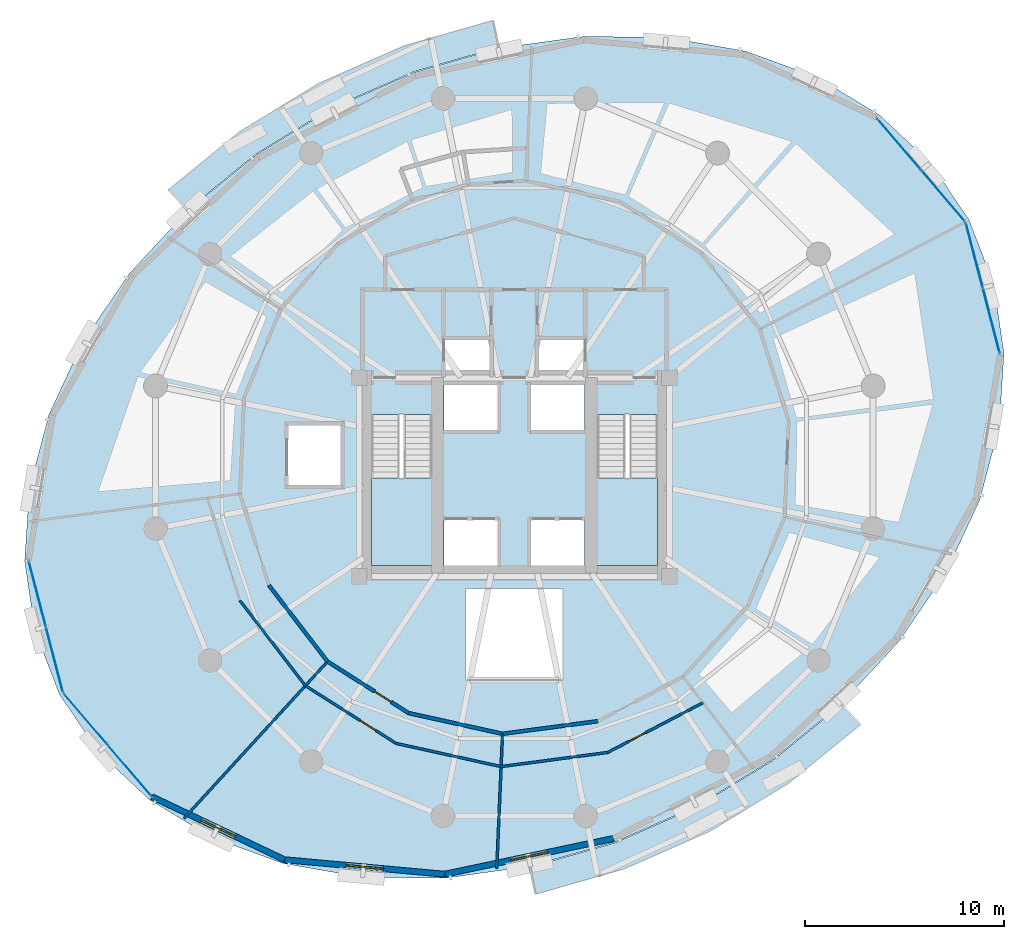
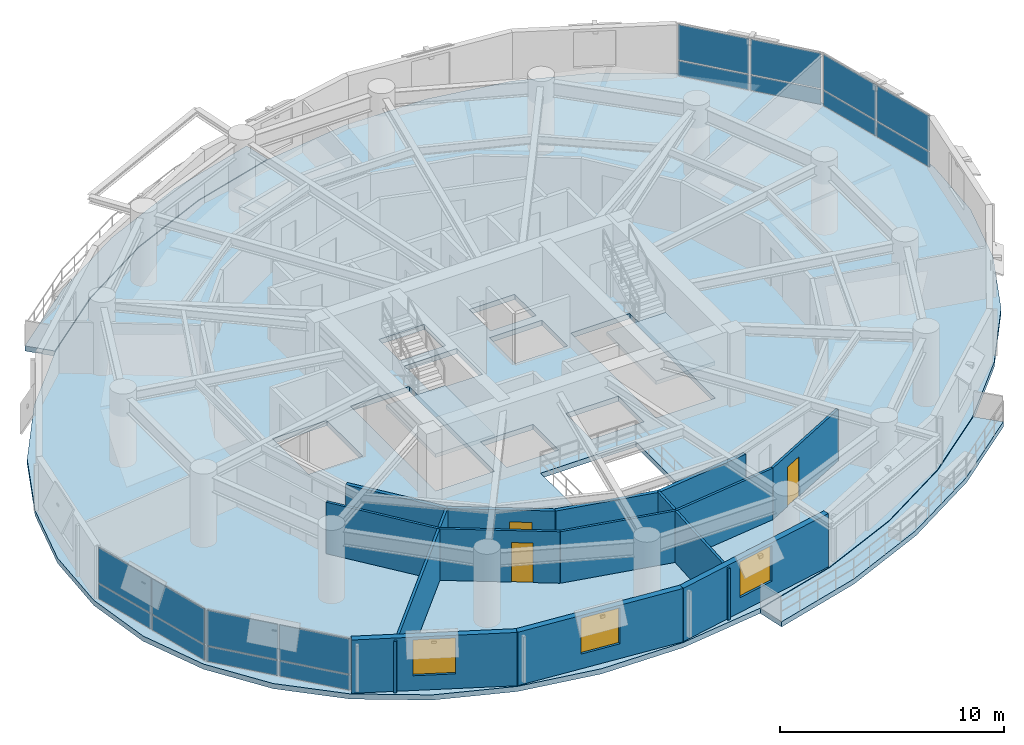
# One storey, part 9 of 14: 16 plates, 14 walls, 5 slabs, 3 doors, 3 windows, 6 openings, 6 elements without a shape of their own.
"""IFC4 building model written with IfcOpenShell, lengths in metres."""

import ifcopenshell
import ifcopenshell.guid

model = None  # the IFC model being written
_history = None  # IfcOwnerHistory: only IFC2X3 demands one
_inside = {}  # id of a spatial element -> (the spatial element, [elements in it])
_under = {}  # id of a project, library or spatial element -> (it, [spatial elements below it])
_declared = {}  # id of a project -> (the project, [libraries it declares])
_typed = {}  # id of a type object -> (the type object, [elements of that type])
_made_of = {}  # id of a material, layer set ... -> (it, [elements and type objects made of it])


def new_model(schema):
    """Start an empty IFC model of exactly this schema.

    Asked for "IFC4X3", IfcOpenShell would pick the latest addendum, in which some entities
    have other attributes; the version numbers below select the first issue.
    IFC2X3 requires an IfcOwnerHistory on every rooted entity: one is made here for all.
    """
    global model, _history
    if schema == "IFC4X3":
        model = ifcopenshell.file(schema_version=(4, 3, 0, 0))
    else:
        model = ifcopenshell.file(schema=schema)
    _inside.clear()
    _under.clear()
    _declared.clear()
    _typed.clear()
    _made_of.clear()
    _history = None
    if model.schema == "IFC2X3":
        org = make("IfcOrganization", Name="unknown")
        user = make(
            "IfcPersonAndOrganization",
            ThePerson=make("IfcPerson", FamilyName="unknown"),
            TheOrganization=org,
        )
        app = make(
            "IfcApplication",
            ApplicationDeveloper=org,
            Version="unknown",
            ApplicationFullName="unknown",
            ApplicationIdentifier="unknown",
        )
        _history = make(
            "IfcOwnerHistory",
            OwningUser=user,
            OwningApplication=app,
            ChangeAction="ADDED",
            CreationDate=0,
        )
    return model


def make(cls, **values):
    """One entity of the class cls with the attributes given. An attribute that is None is left unset."""
    return model.create_entity(
        cls, **{name: value for name, value in values.items() if value is not None}
    )


def rooted(cls, **values):
    """An entity with a GlobalId (a new one), such as an element, a storey or a relation."""
    return make(cls, GlobalId=ifcopenshell.guid.new(), OwnerHistory=_history, **values)


def si_unit(unit_type, name, prefix=None):
    """IfcSIUnit, for example si_unit("LENGTHUNIT", "METRE", prefix="MILLI")."""
    return make("IfcSIUnit", UnitType=unit_type, Prefix=prefix, Name=name)


def assignment(units):
    """IfcUnitAssignment: the units of a project."""
    return None if units is None else make("IfcUnitAssignment", Units=units)


def point(xyz):
    """IfcCartesianPoint."""
    return None if xyz is None else make("IfcCartesianPoint", Coordinates=xyz)


def direction(xyz):
    """IfcDirection."""
    return None if xyz is None else make("IfcDirection", DirectionRatios=xyz)


def frame(location, z_axis=None, x_axis=None):
    """IfcAxis2Placement3D, a coordinate frame: its origin and axes. An axis left out is left unset."""
    return make(
        "IfcAxis2Placement3D",
        Location=point(location),
        Axis=direction(z_axis),
        RefDirection=direction(x_axis),
    )


def frame_2d(location, x_axis=None):
    """IfcAxis2Placement2D, a coordinate frame in the plane: its origin and x axis."""
    return make(
        "IfcAxis2Placement2D", Location=point(location), RefDirection=direction(x_axis)
    )


def origin():
    """The frame at (0, 0, 0) with its axes left unset."""
    return frame((0.0, 0.0, 0.0))


def origin_2d():
    """The frame at (0, 0) in the plane with its x axis left unset."""
    return frame_2d((0.0, 0.0))


def place(relative_to, where):
    """IfcLocalPlacement: puts the frame where relative to a parent placement (None: the world)."""
    return make(
        "IfcLocalPlacement", PlacementRelTo=relative_to, RelativePlacement=where
    )


def context(
    kind, dimensions, precision=None, world=None, true_north=None, identifier=None
):
    """IfcGeometricRepresentationContext, for example the 3D "Model" context."""
    return make(
        "IfcGeometricRepresentationContext",
        ContextIdentifier=identifier,
        ContextType=kind,
        CoordinateSpaceDimension=dimensions,
        Precision=precision,
        WorldCoordinateSystem=world,
        TrueNorth=true_north,
    )


def subcontext(parent, identifier, kind, view, scale=None):
    """IfcGeometricRepresentationSubContext, for example "Body" below "Model"."""
    return make(
        "IfcGeometricRepresentationSubContext",
        ContextIdentifier=identifier,
        ContextType=kind,
        ParentContext=parent,
        TargetScale=scale,
        TargetView=view,
    )


def project(units=None, contexts=None):
    """IfcProject with its units and contexts."""
    return rooted(
        "IfcProject",
        Name="project",
        RepresentationContexts=contexts,
        UnitsInContext=assignment(units),
    )


def spatial(cls, under=None, at=None, **own):
    """A site, building, storey or space (cls), placed at a placement, below another one or the project."""
    s = rooted(cls, ObjectPlacement=at, **own)
    if under is not None:
        _under.setdefault(under.id(), (under, []))[1].append(s)
    return s


def polyline(points):
    """IfcPolyline through the points."""
    return make("IfcPolyline", Points=[point(p) for p in points])


def profile(cls, at=None, kind="AREA", **sizes):
    """A parametric profile (cls). Its sizes go by their IFC names, for example OverallWidth=200.0."""
    return make(cls, ProfileType=kind, Position=at, **sizes)


def rectangle(**sizes):
    """IfcRectangleProfileDef."""
    return profile("IfcRectangleProfileDef", **sizes)


def outline(outer, holes=None, kind="AREA"):
    """IfcArbitraryClosedProfileDef: a profile drawn as a closed curve; with holes, ...WithVoids."""
    if holes is None:
        return make("IfcArbitraryClosedProfileDef", ProfileType=kind, OuterCurve=outer)
    return make(
        "IfcArbitraryProfileDefWithVoids",
        ProfileType=kind,
        OuterCurve=outer,
        InnerCurves=holes,
    )


def extrude(swept, where, along, depth):
    """IfcExtrudedAreaSolid: the profile swept, set in the frame where, extruded along a direction by depth."""
    return make(
        "IfcExtrudedAreaSolid",
        SweptArea=swept,
        Position=where,
        ExtrudedDirection=direction(along),
        Depth=depth,
    )


def shape(context_of_items, identifier, shape_type, items):
    """IfcShapeRepresentation: the items that make up one representation, for example the "Body"."""
    return make(
        "IfcShapeRepresentation",
        ContextOfItems=context_of_items,
        RepresentationIdentifier=identifier,
        RepresentationType=shape_type,
        Items=items,
    )


def material(Name=None, Category=None):
    """IfcMaterial."""
    return make("IfcMaterial", Name=Name, Category=Category)


def layer(
    of_material, thickness, ventilated=None, Name=None, Category=None, Priority=None
):
    """IfcMaterialLayer: one layer of a wall or slab, of a material (None: an air gap)."""
    return make(
        "IfcMaterialLayer",
        Material=of_material,
        LayerThickness=thickness,
        IsVentilated=ventilated,
        Name=Name,
        Category=Category,
        Priority=Priority,
    )


def layer_set(layers, Name=None):
    """IfcMaterialLayerSet."""
    return make("IfcMaterialLayerSet", MaterialLayers=layers, LayerSetName=Name)


def made_of(thing, what):
    """Note that an element or type object is made of a material, layer set ...; save() writes the relation."""
    if what is not None:
        _made_of.setdefault(what.id(), (what, []))[1].append(thing)
    return thing


def type_object(cls, material=None, **own):
    """A type object (cls), such as IfcWallType, which elements share."""
    return made_of(rooted(cls, **own), material)


def element(
    cls,
    number,
    at=None,
    inside=None,
    cuts=None,
    type_object=None,
    material=None,
    context=None,
    identifier="Body",
    shape_type=None,
    held_by="IfcProductDefinitionShape",
    body=None,
    shapes=None,
    **own,
):
    """One element of the class cls, such as IfcWall. Its Tag is "e" and its number.

    at: its placement. inside: the storey or other place that contains it. cuts: it is an
    opening in that element (IfcRelVoidsElement). A single representation is given by context,
    identifier, shape_type and body (its items); several are given by shapes. held_by: the class
    of the entity that holds the representations. save() writes the other relations.
    """
    e = rooted(cls, Tag="e%d" % number, ObjectPlacement=at, **own)
    if body is not None:
        shapes = [shape(context, identifier, shape_type, body)]
    if shapes is not None:
        e.Representation = make(held_by, Representations=shapes)
    if inside is not None:
        _inside.setdefault(inside.id(), (inside, []))[1].append(e)
    if cuts is not None:
        rooted(
            "IfcRelVoidsElement", RelatingBuildingElement=cuts, RelatedOpeningElement=e
        )
    if type_object is not None:
        _typed.setdefault(type_object.id(), (type_object, []))[1].append(e)
    return made_of(e, material)


def fill(opening, filler):
    """IfcRelFillsElement: the door or window that sits in an opening."""
    return rooted(
        "IfcRelFillsElement",
        RelatingOpeningElement=opening,
        RelatedBuildingElement=filler,
    )


def aggregate(whole, parts):
    """IfcRelAggregates: a whole, such as a stair, and the parts it consists of."""
    return rooted("IfcRelAggregates", RelatingObject=whole, RelatedObjects=parts)


def save(model, path):
    """Write the relations noted so far, then the file.

    IfcRelAggregates (storeys below a building ...), IfcRelContainedInSpatialStructure (elements
    in a storey), IfcRelDefinesByType, IfcRelAssociatesMaterial and IfcRelDeclares: one each for
    every whole, place, type object, material and project.
    """
    for whole, parts in _under.values():
        aggregate(whole, parts)
    for where, things in _inside.values():
        rooted(
            "IfcRelContainedInSpatialStructure",
            RelatedElements=things,
            RelatingStructure=where,
        )
    for kind, things in _typed.values():
        rooted("IfcRelDefinesByType", RelatedObjects=things, RelatingType=kind)
    for what, things in _made_of.values():
        rooted("IfcRelAssociatesMaterial", RelatedObjects=things, RelatingMaterial=what)
    for by, libraries in _declared.values():
        rooted("IfcRelDeclares", RelatingContext=by, RelatedDefinitions=libraries)
    model.write(path)


model = new_model("IFC4")

# Units and contexts
model_context = context("Model", 3, precision=1e-05, world=origin(), true_north=direction((0.0, 1.0)))
body_context = subcontext(model_context, "Body", "Model", "MODEL_VIEW")
ifc_project = project(units=[si_unit("LENGTHUNIT", "METRE"), si_unit("AREAUNIT", "SQUARE_METRE"), si_unit("VOLUMEUNIT", "CUBIC_METRE"), si_unit("PLANEANGLEUNIT", "RADIAN"), si_unit("MASSUNIT", "GRAM", prefix="KILO"), si_unit("THERMODYNAMICTEMPERATUREUNIT", "KELVIN"), si_unit("POWERUNIT", "WATT")], contexts=[model_context])

# Site, building, storey
site_placement = place(None, origin())
site = spatial("IfcSite", under=ifc_project, at=site_placement, CompositionType="ELEMENT")
building_placement = place(site_placement, origin())
building = spatial("IfcBuilding", under=site, at=building_placement, Name="Ocrelia Relay Tower", CompositionType="ELEMENT")
storey_placement = place(building_placement, frame((0.0, 0.0, 149.800048828125)))
storey = spatial("IfcBuildingStorey", under=building, at=storey_placement, Name="L35", CompositionType="ELEMENT", Elevation=149.800048828125)

# Curtain wall, plates
ifc_material_1 = material(Name="Aluminium and solar-control low-E glass", Category="aluminium")
ifc_layer_1 = layer(ifc_material_1, 0.179931640625, Name="Aluminium and solar-control low-E glass")
ifc_layer_set_1 = layer_set([ifc_layer_1], Name="Aluminium and solar-control low-E glass")
curtain_wall_type = type_object("IfcCurtainWallType", Name="CW-SYS-Z2-SWIT", PredefinedType="NOTDEFINED", material=ifc_layer_set_1)
curtain_wall_1_placement = place(storey_placement, origin())
curtain_wall_1 = element("IfcCurtainWall", 1, at=curtain_wall_1_placement, inside=storey, type_object=curtain_wall_type, Name="L35 Elliptical Tower Curtain Wall Bay 01", PredefinedType="NOTDEFINED")
ifc_material_2 = material(Name="Clear double-glazed low-E glass", Category="glass")
ifc_layer_2 = layer(ifc_material_2, 0.031982421875, Name="Clear double-glazed low-E glass")
ifc_layer_set_2 = layer_set([ifc_layer_2], Name="Clear double-glazed low-E glass")
plate_type = type_object("IfcPlateType", Name="CW-SYS-Z2-SWIT-PNL", PredefinedType="CURTAIN_PANEL", material=ifc_layer_set_2)
plate_1_placement = place(storey_placement, frame((55.568359375, 39.1611328125, 0.059814453125), z_axis=(0.0, 0.0, 1.0), x_axis=(-0.649706095868, 0.760185496436, 0.0)))
plate_1 = element("IfcPlate", 2, at=plate_1_placement, type_object=plate_type, Name="CW-Z2 panel 1.1", PredefinedType="CURTAIN_PANEL", context=body_context, shape_type="SweptSolid", body=[
    extrude(rectangle(XDim=3.33447265625, YDim=0.031982421875, at=origin_2d()), origin(), (0.0, 0.0, 1.0), 0.81005859375),
])
plate_2_placement = place(storey_placement, frame((55.568359375, 39.1611328125, 0.93017578125), z_axis=(0.0, 0.0, 1.0), x_axis=(-0.649706095868, 0.760185496436, 0.0)))
plate_2 = element("IfcPlate", 3, at=plate_2_placement, type_object=plate_type, Name="CW-Z2 panel 1.2", PredefinedType="CURTAIN_PANEL", context=body_context, shape_type="SweptSolid", body=[
    extrude(rectangle(XDim=3.33447265625, YDim=0.031982421875, at=origin_2d()), origin(), (0.0, 0.0, 1.0), 1.909912109375),
])
plate_3_placement = place(storey_placement, frame((53.3564453125, 41.749267578125, 0.059814453125), z_axis=(0.0, 0.0, 1.0), x_axis=(-0.649706095868, 0.760185496436, 0.0)))
plate_3 = element("IfcPlate", 4, at=plate_3_placement, type_object=plate_type, Name="CW-Z2 panel 2.1", PredefinedType="CURTAIN_PANEL", context=body_context, shape_type="SweptSolid", body=[
    extrude(rectangle(XDim=3.33447265625, YDim=0.031982421875, at=origin_2d()), origin(), (0.0, 0.0, 1.0), 0.81005859375),
])
plate_4_placement = place(storey_placement, frame((53.3564453125, 41.749267578125, 0.93017578125), z_axis=(0.0, 0.0, 1.0), x_axis=(-0.649706095868, 0.760185496436, 0.0)))
plate_4 = element("IfcPlate", 5, at=plate_4_placement, type_object=plate_type, Name="CW-Z2 panel 2.2", PredefinedType="CURTAIN_PANEL", context=body_context, shape_type="SweptSolid", body=[
    extrude(rectangle(XDim=3.33447265625, YDim=0.031982421875, at=origin_2d()), origin(), (0.0, 0.0, 1.0), 1.909912109375),
])
aggregate(curtain_wall_1, [plate_1, plate_2, plate_3, plate_4])

curtain_wall_2_placement = place(storey_placement, origin())
curtain_wall_2 = element("IfcCurtainWall", 6, at=curtain_wall_2_placement, inside=storey, type_object=curtain_wall_type, Name="L35 Elliptical Tower Curtain Wall Bay 09", PredefinedType="NOTDEFINED")
plate_5_placement = place(storey_placement, frame((10.008544921875, 19.1357421875, 0.059814453125), z_axis=(0.0, 0.0, 1.0), x_axis=(0.251732432216, -0.967796870511, 0.0)))
plate_5 = element("IfcPlate", 7, at=plate_5_placement, type_object=plate_type, Name="CW-Z2 panel 1.1", PredefinedType="CURTAIN_PANEL", context=body_context, shape_type="SweptSolid", body=[
    extrude(rectangle(XDim=3.33447265625, YDim=0.031982421875, at=origin_2d()), origin(), (0.0, 0.0, 1.0), 0.81005859375),
])
plate_6_placement = place(storey_placement, frame((10.008544921875, 19.1357421875, 0.93017578125), z_axis=(0.0, 0.0, 1.0), x_axis=(0.251732432216, -0.967796870511, 0.0)))
plate_6 = element("IfcPlate", 8, at=plate_6_placement, type_object=plate_type, Name="CW-Z2 panel 1.2", PredefinedType="CURTAIN_PANEL", context=body_context, shape_type="SweptSolid", body=[
    extrude(rectangle(XDim=3.33447265625, YDim=0.031982421875, at=origin_2d()), origin(), (0.0, 0.0, 1.0), 1.909912109375),
])
plate_7_placement = place(storey_placement, frame((10.865478515625, 15.8408203125, 0.059814453125), z_axis=(0.0, 0.0, 1.0), x_axis=(0.251732432216, -0.967796870511, 0.0)))
plate_7 = element("IfcPlate", 9, at=plate_7_placement, type_object=plate_type, Name="CW-Z2 panel 2.1", PredefinedType="CURTAIN_PANEL", context=body_context, shape_type="SweptSolid", body=[
    extrude(rectangle(XDim=3.33447265625, YDim=0.031982421875, at=origin_2d()), origin(), (0.0, 0.0, 1.0), 0.81005859375),
])
plate_8_placement = place(storey_placement, frame((10.865478515625, 15.8408203125, 0.93017578125), z_axis=(0.0, 0.0, 1.0), x_axis=(0.251732432216, -0.967796870511, 0.0)))
plate_8 = element("IfcPlate", 10, at=plate_8_placement, type_object=plate_type, Name="CW-Z2 panel 2.2", PredefinedType="CURTAIN_PANEL", context=body_context, shape_type="SweptSolid", body=[
    extrude(rectangle(XDim=3.33447265625, YDim=0.031982421875, at=origin_2d()), origin(), (0.0, 0.0, 1.0), 1.909912109375),
])
aggregate(curtain_wall_2, [plate_5, plate_6, plate_7, plate_8])

curtain_wall_3_placement = place(storey_placement, origin())
curtain_wall_3 = element("IfcCurtainWall", 11, at=curtain_wall_3_placement, inside=storey, type_object=curtain_wall_type, Name="L35 Elliptical Tower Curtain Wall Bay 10", PredefinedType="NOTDEFINED")
plate_9_placement = place(storey_placement, frame((12.431640625, 12.8388671875, 0.059814453125), z_axis=(0.0, 0.0, 1.0), x_axis=(0.649706095868, -0.760185496436, 0.0)))
plate_9 = element("IfcPlate", 12, at=plate_9_placement, type_object=plate_type, Name="CW-Z2 panel 1.1", PredefinedType="CURTAIN_PANEL", context=body_context, shape_type="SweptSolid", body=[
    extrude(rectangle(XDim=3.33447265625, YDim=0.031982421875, at=origin_2d()), origin(), (0.0, 0.0, 1.0), 0.81005859375),
])
plate_10_placement = place(storey_placement, frame((12.431640625, 12.8388671875, 0.93017578125), z_axis=(0.0, 0.0, 1.0), x_axis=(0.649706095868, -0.760185496436, 0.0)))
plate_10 = element("IfcPlate", 13, at=plate_10_placement, type_object=plate_type, Name="CW-Z2 panel 1.2", PredefinedType="CURTAIN_PANEL", context=body_context, shape_type="SweptSolid", body=[
    extrude(rectangle(XDim=3.33447265625, YDim=0.031982421875, at=origin_2d()), origin(), (0.0, 0.0, 1.0), 1.909912109375),
])
plate_11_placement = place(storey_placement, frame((14.6435546875, 10.250732421875, 0.059814453125), z_axis=(0.0, 0.0, 1.0), x_axis=(0.649706095868, -0.760185496436, 0.0)))
plate_11 = element("IfcPlate", 14, at=plate_11_placement, type_object=plate_type, Name="CW-Z2 panel 2.1", PredefinedType="CURTAIN_PANEL", context=body_context, shape_type="SweptSolid", body=[
    extrude(rectangle(XDim=3.33447265625, YDim=0.031982421875, at=origin_2d()), origin(), (0.0, 0.0, 1.0), 0.81005859375),
])
plate_12_placement = place(storey_placement, frame((14.6435546875, 10.250732421875, 0.93017578125), z_axis=(0.0, 0.0, 1.0), x_axis=(0.649706095868, -0.760185496436, 0.0)))
plate_12 = element("IfcPlate", 15, at=plate_12_placement, type_object=plate_type, Name="CW-Z2 panel 2.2", PredefinedType="CURTAIN_PANEL", context=body_context, shape_type="SweptSolid", body=[
    extrude(rectangle(XDim=3.33447265625, YDim=0.031982421875, at=origin_2d()), origin(), (0.0, 0.0, 1.0), 1.909912109375),
])
aggregate(curtain_wall_3, [plate_9, plate_10, plate_11, plate_12])

curtain_wall_4_placement = place(storey_placement, origin())
curtain_wall_4 = element("IfcCurtainWall", 16, at=curtain_wall_4_placement, inside=storey, type_object=curtain_wall_type, Name="L35 Elliptical Tower Curtain Wall Bay 18", PredefinedType="NOTDEFINED")
plate_13_placement = place(storey_placement, frame((57.991455078125, 32.8642578125, 0.059814453125), z_axis=(0.0, 0.0, 1.0), x_axis=(-0.251732432216, 0.967796870511, 0.0)))
plate_13 = element("IfcPlate", 17, at=plate_13_placement, type_object=plate_type, Name="CW-Z2 panel 1.1", PredefinedType="CURTAIN_PANEL", context=body_context, shape_type="SweptSolid", body=[
    extrude(rectangle(XDim=3.33447265625, YDim=0.031982421875, at=origin_2d()), origin(), (0.0, 0.0, 1.0), 0.81005859375),
])
plate_14_placement = place(storey_placement, frame((57.991455078125, 32.8642578125, 0.93017578125), z_axis=(0.0, 0.0, 1.0), x_axis=(-0.251732432216, 0.967796870511, 0.0)))
plate_14 = element("IfcPlate", 18, at=plate_14_placement, type_object=plate_type, Name="CW-Z2 panel 1.2", PredefinedType="CURTAIN_PANEL", context=body_context, shape_type="SweptSolid", body=[
    extrude(rectangle(XDim=3.33447265625, YDim=0.031982421875, at=origin_2d()), origin(), (0.0, 0.0, 1.0), 1.909912109375),
])
plate_15_placement = place(storey_placement, frame((57.134521484375, 36.1591796875, 0.059814453125), z_axis=(0.0, 0.0, 1.0), x_axis=(-0.251732432216, 0.967796870511, 0.0)))
plate_15 = element("IfcPlate", 19, at=plate_15_placement, type_object=plate_type, Name="CW-Z2 panel 2.1", PredefinedType="CURTAIN_PANEL", context=body_context, shape_type="SweptSolid", body=[
    extrude(rectangle(XDim=3.33447265625, YDim=0.031982421875, at=origin_2d()), origin(), (0.0, 0.0, 1.0), 0.81005859375),
])
plate_16_placement = place(storey_placement, frame((57.134521484375, 36.1591796875, 0.93017578125), z_axis=(0.0, 0.0, 1.0), x_axis=(-0.251732432216, 0.967796870511, 0.0)))
plate_16 = element("IfcPlate", 20, at=plate_16_placement, type_object=plate_type, Name="CW-Z2 panel 2.2", PredefinedType="CURTAIN_PANEL", context=body_context, shape_type="SweptSolid", body=[
    extrude(rectangle(XDim=3.33447265625, YDim=0.031982421875, at=origin_2d()), origin(), (0.0, 0.0, 1.0), 1.909912109375),
])
aggregate(curtain_wall_4, [plate_13, plate_14, plate_15, plate_16])

# Slabs
ifc_material_3 = material(Name="Precast concrete C40/50", Category="concrete")
ifc_layer_3 = layer(ifc_material_3, 0.280029296875, Name="Precast concrete C40/50")
ifc_layer_set_3 = layer_set([ifc_layer_3], Name="Precast concrete C40/50")
slab_type_1 = type_object("IfcSlabType", Name="SL-BALC-280", PredefinedType="FLOOR", material=ifc_layer_set_3)
slab_1_placement = place(storey_placement, frame((0.0, 0.0, -0.280029296875)))
element("IfcSlab", 21, at=slab_1_placement, inside=storey, type_object=slab_type_1, Name="L35 Planted Loggia Balcony B1", PredefinedType="FLOOR", context=body_context, shape_type="SweptSolid", body=[
    extrude(outline(polyline([(33.211669921875, 46.60693359375), (31.077392578125, 45.997802734375), (28.943115234375, 45.388671875), (24.828125, 43.58154296875), (20.99169921875, 41.240478515625), (19.27099609375, 39.838623046875), (17.55029296875, 38.436767578125), (16.59619140625, 39.452392578125), (18.3916015625, 40.9150390625), (20.18701171875, 42.3779296875), (24.183837890625, 44.816650390625), (28.470703125, 46.69921875), (30.697509765625, 47.3349609375), (32.924560546875, 47.970458984375), (33.211669921875, 46.60693359375)])), origin(), (0.0, 0.0, 1.0), 0.280029296875),
])
slab_2_placement = place(storey_placement, frame((0.0, 0.0, -0.280029296875)))
element("IfcSlab", 22, at=slab_2_placement, inside=storey, type_object=slab_type_1, Name="L35 Planted Loggia Balcony B2", PredefinedType="FLOOR", context=body_context, shape_type="SweptSolid", body=[
    extrude(outline(polyline([(34.788330078125, 5.39306640625), (36.922607421875, 6.002197265625), (39.056884765625, 6.611328125), (43.171875, 8.41845703125), (47.00830078125, 10.759521484375), (48.72900390625, 12.161376953125), (50.44970703125, 13.563232421875), (51.40380859375, 12.547607421875), (49.6083984375, 11.084716796875), (47.81298828125, 9.6220703125), (43.816162109375, 7.183349609375), (39.529296875, 5.30078125), (37.302490234375, 4.6650390625), (35.075439453125, 4.029541015625), (34.788330078125, 5.39306640625)])), origin(), (0.0, 0.0, 1.0), 0.280029296875),
])
ifc_material_4 = material(Name="Concrete C50/60", Category="concrete")
ifc_layer_4 = layer(ifc_material_4, 0.280029296875, Name="Concrete C50/60")
ifc_layer_set_4 = layer_set([ifc_layer_4], Name="Concrete C50/60")
slab_type_2 = type_object("IfcSlabType", Name="SL-FLR-280", PredefinedType="FLOOR", material=ifc_layer_set_4)
slab_3_placement = place(storey_placement, frame((0.0, 0.0, -0.280029296875)))
element("IfcSlab", 23, at=slab_3_placement, inside=storey, type_object=slab_type_2, Name="L35 Elliptical Tower Floor Slab", PredefinedType="FLOOR", context=body_context, shape_type="SweptSolid", body=[
    extrude(outline(polyline([(56.87451171875, 37.93310546875), (54.936767578125, 40.80029296875), (52.36279296875, 43.217529296875), (49.23095703125, 45.11181640625), (45.63623046875, 46.42529296875), (41.68798828125, 47.1181640625), (37.506103515625, 47.16943359375), (33.218017578125, 46.577392578125), (28.953369140625, 45.3603515625), (24.842041015625, 43.5546875), (21.009033203125, 41.216064453125), (17.57080078125, 38.414794921875), (14.631591796875, 35.236328125), (12.28125, 31.77734375), (10.590576171875, 28.142822265625), (9.611083984375, 24.443115234375), (9.372802734375, 20.790771484375), (9.8828125, 17.296630859375), (11.12548828125, 14.06689453125), (13.063232421875, 11.19970703125), (15.63720703125, 8.782470703125), (18.76904296875, 6.88818359375), (22.36376953125, 5.57470703125), (26.31201171875, 4.8818359375), (30.493896484375, 4.83056640625), (34.781982421875, 5.422607421875), (39.046630859375, 6.6396484375), (43.157958984375, 8.4453125), (46.990966796875, 10.783935546875), (50.42919921875, 13.585205078125), (53.368408203125, 16.763671875), (55.71875, 20.22265625), (57.409423828125, 23.857177734375), (58.388916015625, 27.556884765625), (58.627197265625, 31.209228515625), (58.1171875, 34.703369140625), (56.87451171875, 37.93310546875)]), holes=[polyline([(26.81005859375, 28.14990234375), (26.81005859375, 20.550048828125), (29.85009765625, 20.550048828125), (29.85009765625, 28.14990234375), (26.81005859375, 28.14990234375)]), polyline([(38.159912109375, 28.14990234375), (38.159912109375, 20.550048828125), (41.199951171875, 20.550048828125), (41.199951171875, 28.14990234375), (38.159912109375, 28.14990234375)]), polyline([(30.4599609375, 20.550048828125), (33.159912109375, 20.550048828125), (33.159912109375, 22.85009765625), (30.4599609375, 22.85009765625), (30.4599609375, 20.550048828125)]), polyline([(34.840087890625, 20.550048828125), (37.5400390625, 20.550048828125), (37.5400390625, 22.85009765625), (34.840087890625, 22.85009765625), (34.840087890625, 20.550048828125)]), polyline([(30.4599609375, 27.35009765625), (33.159912109375, 27.35009765625), (33.159912109375, 29.64990234375), (30.4599609375, 29.64990234375), (30.4599609375, 27.35009765625)]), polyline([(34.840087890625, 27.35009765625), (37.5400390625, 27.35009765625), (37.5400390625, 29.64990234375), (34.840087890625, 29.64990234375), (34.840087890625, 27.35009765625)]), polyline([(30.5, 30.10009765625), (32.85009765625, 30.10009765625), (32.85009765625, 32.0), (30.5, 32.0), (30.5, 30.10009765625)]), polyline([(35.14990234375, 30.10009765625), (37.5, 30.10009765625), (37.5, 32.0), (35.14990234375, 32.0), (35.14990234375, 30.10009765625)]), polyline([(22.550048828125, 24.5), (25.35009765625, 24.5), (25.35009765625, 27.699951171875), (22.550048828125, 27.699951171875), (22.550048828125, 24.5)]), polyline([(31.550048828125, 14.800048828125), (36.449951171875, 14.800048828125), (36.449951171875, 19.39990234375), (31.550048828125, 19.39990234375), (31.550048828125, 14.800048828125)])]), origin(), (0.0, 0.0, 1.0), 0.280029296875),
])

# Stair, slab
stair_type = type_object("IfcStairType", Name="ST-DL-1420-R167", PredefinedType="HALF_TURN_STAIR", material=ifc_material_4)
stair_1_placement = place(storey_placement, origin())
stair_1 = element("IfcStair", 24, at=stair_1_placement, inside=storey, type_object=stair_type, Name="L35 West Core Exit Stair ST1", PredefinedType="HALF_TURN_STAIR")
ifc_layer_5 = layer(ifc_material_4, 0.199951171875, Name="Concrete C50/60")
ifc_layer_set_5 = layer_set([ifc_layer_5], Name="Concrete C50/60")
slab_type_3 = type_object("IfcSlabType", Name="SL-LANDING-200", PredefinedType="LANDING", material=ifc_layer_set_5)
slab_4_placement = place(storey_placement, frame((0.0, 0.0, 1.800048828125)))
slab_4 = element("IfcSlab", 25, at=slab_4_placement, type_object=slab_type_3, Name="ST1 landing 1", PredefinedType="LANDING", context=body_context, shape_type="SweptSolid", body=[
    extrude(outline(polyline([(26.81005859375, 24.9599609375), (26.81005859375, 20.550048828125), (29.85009765625, 20.550048828125), (29.85009765625, 24.9599609375), (26.81005859375, 24.9599609375)])), origin(), (0.0, 0.0, 1.0), 0.199951171875),
])
aggregate(stair_1, [slab_4])

stair_2_placement = place(storey_placement, origin())
stair_2 = element("IfcStair", 26, at=stair_2_placement, inside=storey, type_object=stair_type, Name="L35 East Core Exit Stair ST2", PredefinedType="HALF_TURN_STAIR")
slab_5_placement = place(storey_placement, frame((0.0, 0.0, 1.800048828125)))
slab_5 = element("IfcSlab", 27, at=slab_5_placement, type_object=slab_type_3, Name="ST2 landing 1", PredefinedType="LANDING", context=body_context, shape_type="SweptSolid", body=[
    extrude(outline(polyline([(38.159912109375, 24.9599609375), (38.159912109375, 20.550048828125), (41.199951171875, 20.550048828125), (41.199951171875, 24.9599609375), (38.159912109375, 24.9599609375)])), origin(), (0.0, 0.0, 1.0), 0.199951171875),
])
aggregate(stair_2, [slab_5])

# Wall
ifc_material_5 = material(Name="Gypsum Fireboard Partition EI60", Category="gypsum")
ifc_layer_6 = layer(ifc_material_5, 0.179931640625, Name="Gypsum Fireboard Partition EI60")
ifc_layer_set_6 = layer_set([ifc_layer_6], Name="Gypsum Fireboard Partition EI60")
wall_type_1 = type_object("IfcWallType", Name="W-CORR-EI60-180", PredefinedType="PARTITIONING", material=ifc_layer_set_6)
wall_1_placement = place(storey_placement, frame((21.658447265625, 19.561767578125, 0.0), z_axis=(0.0, 0.0, 1.0), x_axis=(0.609452025555, -0.792822949054, 0.0)))
element("IfcWall", 28, at=wall_1_placement, inside=storey, type_object=wall_type_1, Name="L35 Optical Calibration Studio Corridor Partition 2", PredefinedType="PARTITIONING", context=body_context, shape_type="SweptSolid", body=[
    extrude(rectangle(XDim=4.834228515625, YDim=0.179931640625, at=frame_2d((2.4169921875, 0.0))), origin(), (0.0, 0.0, 1.0), 2.800048828125),
])

# Wall, opening, door
wall_2_placement = place(storey_placement, frame((24.604736328125, 15.72900390625, 0.0), z_axis=(0.0, 0.0, 1.0), x_axis=(0.843858975669, -0.536565027916, 0.0)))
wall_2 = element("IfcWall", 29, at=wall_2_placement, inside=storey, type_object=wall_type_1, Name="L35 Protocol Testing Lab Corridor Partition 1", PredefinedType="PARTITIONING", context=body_context, shape_type="SweptSolid", body=[
    extrude(rectangle(XDim=4.83447265625, YDim=0.179931640625, at=frame_2d((2.417236328125, 0.0))), origin(), (0.0, 0.0, 1.0), 2.800048828125),
])
opening_1_placement = place(wall_2_placement, frame((2.80078125, 0.0, 0.0)))
opening_1 = element("IfcOpeningElement", 30, at=opening_1_placement, cuts=wall_2, Name="Opening D-RM100", PredefinedType="OPENING", context=body_context, shape_type="SweptSolid", body=[
    extrude(rectangle(XDim=1.0, YDim=2.14990234375, at=frame_2d((0.5, 1.074951171875))), frame((0.0, 0.10009765625, 0.0), z_axis=(0.0, -1.0, 0.0), x_axis=(1.0, 0.0, 0.0)), (0.0, 0.0, 1.0), 0.199951171875),
])
ifc_material_6 = material(Name="Acoustic oak veneer fire door", Category="wood")
door_type_1 = type_object("IfcDoorType", Name="DR-ROOM-FD60-1000", OperationType="NOTDEFINED", PredefinedType="DOOR", material=ifc_material_6)
door_1_placement = place(opening_1_placement, origin())
door_1 = element("IfcDoor", 31, at=door_1_placement, inside=storey, type_object=door_type_1, Name="L35 Protocol Testing Lab Entrance Door", OperationType="SINGLE_SWING_LEFT", OverallHeight=2.14990234375, OverallWidth=1.0, PredefinedType="DOOR", context=body_context, shape_type="SweptSolid", body=[
    extrude(rectangle(XDim=1.0, YDim=2.14990234375, at=frame_2d((0.5, 1.074951171875))), frame((0.0, 0.02490234375, 0.0), z_axis=(0.0, -1.0, 0.0), x_axis=(1.0, 0.0, 0.0)), (0.0, 0.0, 1.0), 0.050048828125),
])
fill(opening_1, door_1)

# Walls
for number, where, z_axis, x_axis, name in (
    (32, (28.684326171875, 13.135009765625, 0.0), (0.0, 0.0, 1.0), (0.976484389615, -0.215588118498, 0.0), "L35 Protocol Testing Lab Corridor Partition 2"),
    (33, (33.405029296875, 12.0927734375, 0.0), (0.0, 0.0, 1.0), (0.991335628385, 0.131353233287, 0.0), "L35 Photonics Metrology Lab Corridor Partition 1"),
):
    element("IfcWall", number, at=place(storey_placement, frame(where, z_axis=z_axis, x_axis=x_axis)), inside=storey, type_object=wall_type_1, Name=name, PredefinedType="PARTITIONING", context=body_context, shape_type="SweptSolid", body=[
        extrude(rectangle(XDim=4.83447265625, YDim=0.179931640625, at=frame_2d((2.417236328125, 0.0))), origin(), (0.0, 0.0, 1.0), 2.800048828125),
    ])

# Wall, opening, window
ifc_material_7 = material(Name="Precast concrete C40/50 with oxide terracotta", Category="masonry")
ifc_layer_7 = layer(ifc_material_7, 0.300048828125, Name="Precast concrete C40/50 with oxide terracotta")
ifc_layer_set_7 = layer_set([ifc_layer_7], Name="Precast concrete C40/50 with oxide terracotta")
wall_type_2 = type_object("IfcWallType", Name="W-EXT-TERR-300", PredefinedType="SOLIDWALL", material=ifc_layer_set_7)
wall_3_placement = place(storey_placement, frame((15.772216796875, 8.929931640625, 0.0), z_axis=(0.0, 0.0, 1.0), x_axis=(0.90311340401, -0.429402118646, 0.0)))
wall_3 = element("IfcWall", 34, at=wall_3_placement, inside=storey, type_object=wall_type_2, Name="L35 Oxide Terracotta Facade Wall 11", PredefinedType="SOLIDWALL", context=body_context, shape_type="SweptSolid", body=[
    extrude(rectangle(XDim=7.38330078125, YDim=0.300048828125, at=frame_2d((3.691650390625, 0.0))), origin(), (0.0, 0.0, 1.0), 2.89990234375),
])
opening_2_placement = place(wall_3_placement, frame((2.741943359375, 0.0, 0.800048828125)))
opening_2 = element("IfcOpeningElement", 35, at=opening_2_placement, cuts=wall_3, Name="Opening W-06", PredefinedType="OPENING", context=body_context, shape_type="SweptSolid", body=[
    extrude(rectangle(XDim=1.89990234375, YDim=1.949951171875, at=frame_2d((0.949951171875, 0.97509765625))), frame((0.0, 0.16015625, 0.0), z_axis=(0.0, -1.0, 0.0), x_axis=(1.0, 0.0, 0.0)), (0.0, 0.0, 1.0), 0.320068359375),
])
window_type = type_object("IfcWindowType", Name="WIN-Z2-1900x2100", PartitioningType="DOUBLE_PANEL_VERTICAL", PredefinedType="WINDOW", material=ifc_material_2)
window_1_placement = place(opening_2_placement, origin())
window_1 = element("IfcWindow", 36, at=window_1_placement, inside=storey, type_object=window_type, Name="L35 Facade Module Window 11", OverallHeight=1.949951171875, OverallWidth=1.89990234375, PartitioningType="SINGLE_PANEL", PredefinedType="WINDOW", context=body_context, shape_type="SweptSolid", body=[
    extrude(rectangle(XDim=1.89990234375, YDim=1.949951171875, at=frame_2d((0.949951171875, 0.97509765625))), frame((0.0, 0.030029296875, 0.0), z_axis=(0.0, -1.0, 0.0), x_axis=(1.0, 0.0, 0.0)), (0.0, 0.0, 1.0), 0.06005859375),
])
fill(opening_2, window_1)

wall_4_placement = place(storey_placement, frame((22.440185546875, 5.759521484375, 0.0), z_axis=(0.0, 0.0, 1.0), x_axis=(0.995933895162, -0.090087049387, 0.0)))
wall_4 = element("IfcWall", 37, at=wall_4_placement, inside=storey, type_object=wall_type_2, Name="L35 Oxide Terracotta Facade Wall 12", PredefinedType="SOLIDWALL", context=body_context, shape_type="SweptSolid", body=[
    extrude(rectangle(XDim=8.094970703125, YDim=0.300048828125, at=frame_2d((4.04736328125, 0.0))), origin(), (0.0, 0.0, 1.0), 2.89990234375),
])
opening_3_placement = place(wall_4_placement, frame((3.097900390625, 0.0, 0.800048828125)))
opening_3 = element("IfcOpeningElement", 38, at=opening_3_placement, cuts=wall_4, Name="Opening W-06", PredefinedType="OPENING", context=body_context, shape_type="SweptSolid", body=[
    extrude(rectangle(XDim=1.89990234375, YDim=1.949951171875, at=frame_2d((0.949951171875, 0.97509765625))), frame((0.0, 0.16015625, 0.0), z_axis=(0.0, -1.0, 0.0), x_axis=(1.0, 0.0, 0.0)), (0.0, 0.0, 1.0), 0.320068359375),
])
window_2_placement = place(opening_3_placement, origin())
window_2 = element("IfcWindow", 39, at=window_2_placement, inside=storey, type_object=window_type, Name="L35 Facade Module Window 12", OverallHeight=1.949951171875, OverallWidth=1.89990234375, PartitioningType="SINGLE_PANEL", PredefinedType="WINDOW", context=body_context, shape_type="SweptSolid", body=[
    extrude(rectangle(XDim=1.89990234375, YDim=1.949951171875, at=frame_2d((0.949951171875, 0.97509765625))), frame((0.0, 0.030029296875, 0.0), z_axis=(0.0, -1.0, 0.0), x_axis=(1.0, 0.0, 0.0)), (0.0, 0.0, 1.0), 0.06005859375),
])
fill(opening_3, window_2)

wall_5_placement = place(storey_placement, frame((30.502197265625, 5.0302734375, 0.0), z_axis=(0.0, 0.0, 1.0), x_axis=(0.978225120282, 0.207546655113, 0.0)))
wall_5 = element("IfcWall", 40, at=wall_5_placement, inside=storey, type_object=wall_type_2, Name="L35 Oxide Terracotta Facade Wall 13", PredefinedType="SOLIDWALL", context=body_context, shape_type="SweptSolid", body=[
    extrude(rectangle(XDim=8.673095703125, YDim=0.300048828125, at=frame_2d((4.33642578125, 0.0))), origin(), (0.0, 0.0, 1.0), 2.89990234375),
])
opening_4_placement = place(wall_5_placement, frame((3.385986328125, 0.0, 0.800048828125)))
opening_4 = element("IfcOpeningElement", 41, at=opening_4_placement, cuts=wall_5, Name="Opening W-06", PredefinedType="OPENING", context=body_context, shape_type="SweptSolid", body=[
    extrude(rectangle(XDim=1.89990234375, YDim=1.949951171875, at=frame_2d((0.949951171875, 0.97509765625))), frame((0.0, 0.16015625, 0.0), z_axis=(0.0, -1.0, 0.0), x_axis=(1.0, 0.0, 0.0)), (0.0, 0.0, 1.0), 0.320068359375),
])
window_3_placement = place(opening_4_placement, origin())
window_3 = element("IfcWindow", 42, at=window_3_placement, inside=storey, type_object=window_type, Name="L35 Facade Module Window 13", OverallHeight=1.949951171875, OverallWidth=1.89990234375, PartitioningType="SINGLE_PANEL", PredefinedType="WINDOW", context=body_context, shape_type="SweptSolid", body=[
    extrude(rectangle(XDim=1.89990234375, YDim=1.949951171875, at=frame_2d((0.949951171875, 0.97509765625))), frame((0.0, 0.030029296875, 0.0), z_axis=(0.0, -1.0, 0.0), x_axis=(1.0, 0.0, 0.0)), (0.0, 0.0, 1.0), 0.06005859375),
])
fill(opening_4, window_3)

# Walls
ifc_material_8 = material(Name="Acoustic Fireboard Partition EI60", Category="gypsum")
ifc_layer_8 = layer(ifc_material_8, 0.125, Name="Acoustic Fireboard Partition EI60")
ifc_layer_set_8 = layer_set([ifc_layer_8], Name="Acoustic Fireboard Partition EI60")
wall_type_3 = type_object("IfcWallType", Name="W-PART-125", PredefinedType="PARTITIONING", material=ifc_layer_set_8)
wall_6_placement = place(storey_placement, frame((24.604736328125, 15.72900390625, 0.0), z_axis=(0.0, 0.0, 1.0), x_axis=(-0.674940942489, -0.737871753188, 0.0)))
element("IfcWall", 43, at=wall_6_placement, inside=storey, type_object=wall_type_3, Name="L35 Optical Calibration Studio Radial Partition", PredefinedType="PARTITIONING", context=body_context, shape_type="SweptSolid", body=[
    extrude(rectangle(XDim=10.68408203125, YDim=0.125, at=frame_2d((5.342041015625, 0.0))), origin(), (0.0, 0.0, 1.0), 2.800048828125),
])
wall_7_placement = place(storey_placement, frame((20.195556640625, 18.798583984375, 0.0), z_axis=(0.0, 0.0, 1.0), x_axis=(0.609464175054, -0.792813609448, 0.0)))
element("IfcWall", 44, at=wall_7_placement, inside=storey, type_object=wall_type_3, Name="L35 Perimeter Optical Calibration Studio Mid-Ring Partition 2", PredefinedType="PARTITIONING", context=body_context, shape_type="SweptSolid", body=[
    extrude(rectangle(XDim=5.407470703125, YDim=0.125, at=frame_2d((2.70361328125, 0.0))), origin(), (0.0, 0.0, 1.0), 2.800048828125),
])
wall_8_placement = place(storey_placement, frame((33.405029296875, 12.0927734375, 0.0), z_axis=(0.0, 0.0, 1.0), x_axis=(-0.042777788452, -0.999084611439, 0.0)))
element("IfcWall", 45, at=wall_8_placement, inside=storey, type_object=wall_type_3, Name="L35 Protocol Testing Lab Radial Partition", PredefinedType="PARTITIONING", context=body_context, shape_type="SweptSolid", body=[
    extrude(rectangle(XDim=6.780029296875, YDim=0.125, at=frame_2d((3.39013671875, 0.0))), origin(), (0.0, 0.0, 1.0), 2.800048828125),
])

# Wall, opening, door
wall_9_placement = place(storey_placement, frame((23.4912109375, 14.511474609375, 0.0), z_axis=(0.0, 0.0, 1.0), x_axis=(0.843858498534, -0.536565778308, 0.0)))
wall_9 = element("IfcWall", 46, at=wall_9_placement, inside=storey, type_object=wall_type_3, Name="L35 Perimeter Protocol Testing Lab Mid-Ring Partition 1", PredefinedType="PARTITIONING", context=body_context, shape_type="SweptSolid", body=[
    extrude(rectangle(XDim=5.4072265625, YDim=0.125, at=frame_2d((2.70361328125, 0.0))), origin(), (0.0, 0.0, 1.0), 2.800048828125),
])
opening_5_placement = place(wall_9_placement, frame((3.253173828125, 0.0, 0.0)))
opening_5 = element("IfcOpeningElement", 47, at=opening_5_placement, cuts=wall_9, Name="Opening D-RM95", PredefinedType="OPENING", context=body_context, shape_type="SweptSolid", body=[
    extrude(rectangle(XDim=0.949951171875, YDim=2.14990234375, at=frame_2d((0.47509765625, 1.074951171875))), frame((0.0, 0.072509765625, 0.0), z_axis=(0.0, -1.0, 0.0), x_axis=(1.0, 0.0, 0.0)), (0.0, 0.0, 1.0), 0.14501953125),
])
door_type_2 = type_object("IfcDoorType", Name="DR-ROOM-950", OperationType="NOTDEFINED", PredefinedType="DOOR", material=ifc_material_6)
door_2_placement = place(opening_5_placement, origin())
door_2 = element("IfcDoor", 48, at=door_2_placement, inside=storey, type_object=door_type_2, Name="L35 Perimeter Protocol Testing Lab Connecting Door", OperationType="SINGLE_SWING_RIGHT", OverallHeight=2.14990234375, OverallWidth=0.949951171875, PredefinedType="DOOR", context=body_context, shape_type="SweptSolid", body=[
    extrude(rectangle(XDim=0.949951171875, YDim=2.14990234375, at=frame_2d((0.47509765625, 1.074951171875))), frame((0.0, 0.02490234375, 0.0), z_axis=(0.0, -1.0, 0.0), x_axis=(1.0, 0.0, 0.0)), (0.0, 0.0, 1.0), 0.050048828125),
])
fill(opening_5, door_2)

# Walls
wall_10_placement = place(storey_placement, frame((28.05419921875, 11.610107421875, 0.0), z_axis=(0.0, 0.0, 1.0), x_axis=(0.976475145599, -0.215629984066, 0.0)))
element("IfcWall", 49, at=wall_10_placement, inside=storey, type_object=wall_type_3, Name="L35 Perimeter Protocol Testing Lab Mid-Ring Partition 2", PredefinedType="PARTITIONING", context=body_context, shape_type="SweptSolid", body=[
    extrude(rectangle(XDim=5.407470703125, YDim=0.125, at=frame_2d((2.70361328125, 0.0))), origin(), (0.0, 0.0, 1.0), 2.800048828125),
])
wall_11_placement = place(storey_placement, frame((33.33447265625, 10.444091796875, 0.0), z_axis=(0.0, 0.0, 1.0), x_axis=(0.991325030471, 0.131433192007, 0.0)))
element("IfcWall", 50, at=wall_11_placement, inside=storey, type_object=wall_type_3, Name="L35 Perimeter Photonics Metrology Lab Mid-Ring Partition 1", PredefinedType="PARTITIONING", context=body_context, shape_type="SweptSolid", body=[
    extrude(rectangle(XDim=5.4072265625, YDim=0.125, at=frame_2d((2.70361328125, 0.0))), origin(), (0.0, 0.0, 1.0), 2.800048828125),
])

# Wall, opening, door
wall_12_placement = place(storey_placement, frame((38.69482421875, 11.15478515625, 0.0), z_axis=(0.0, 0.0, 1.0), x_axis=(0.886620264439, 0.462498115333, 0.0)))
wall_12 = element("IfcWall", 51, at=wall_12_placement, inside=storey, type_object=wall_type_3, Name="L35 Perimeter Photonics Metrology Lab Mid-Ring Partition 2", PredefinedType="PARTITIONING", context=body_context, shape_type="SweptSolid", body=[
    extrude(rectangle(XDim=5.407470703125, YDim=0.125, at=frame_2d((2.70361328125, 0.0))), origin(), (0.0, 0.0, 1.0), 2.800048828125),
])
opening_6_placement = place(wall_12_placement, frame((1.204345703125, 0.0, 0.0)))
opening_6 = element("IfcOpeningElement", 52, at=opening_6_placement, cuts=wall_12, Name="Opening D-RM95", PredefinedType="OPENING", context=body_context, shape_type="SweptSolid", body=[
    extrude(rectangle(XDim=0.949951171875, YDim=2.14990234375, at=frame_2d((0.47509765625, 1.074951171875))), frame((0.0, 0.072509765625, 0.0), z_axis=(0.0, -1.0, 0.0), x_axis=(1.0, 0.0, 0.0)), (0.0, 0.0, 1.0), 0.14501953125),
])
door_3_placement = place(opening_6_placement, origin())
door_3 = element("IfcDoor", 53, at=door_3_placement, inside=storey, type_object=door_type_2, Name="L35 Perimeter Photonics Metrology Lab Connecting Door", OperationType="SINGLE_SWING_RIGHT", OverallHeight=2.14990234375, OverallWidth=0.949951171875, PredefinedType="DOOR", context=body_context, shape_type="SweptSolid", body=[
    extrude(rectangle(XDim=0.949951171875, YDim=2.14990234375, at=frame_2d((0.47509765625, 1.074951171875))), frame((0.0, 0.02490234375, 0.0), z_axis=(0.0, -1.0, 0.0), x_axis=(1.0, 0.0, 0.0)), (0.0, 0.0, 1.0), 0.050048828125),
])
fill(opening_6, door_3)

save(model, "model.ifc")
